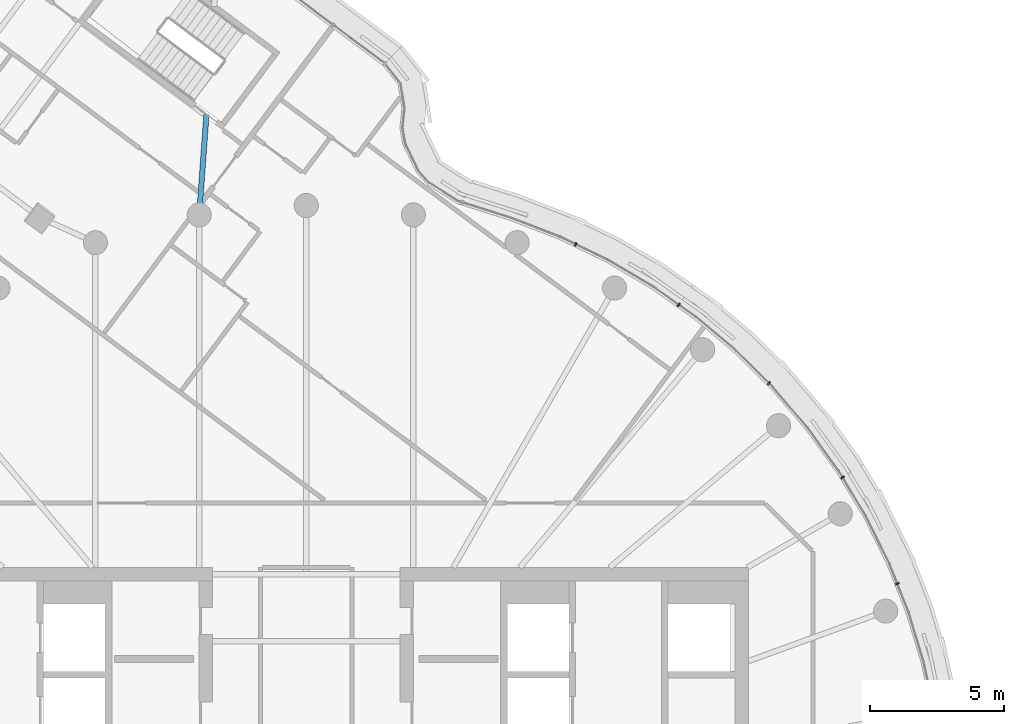
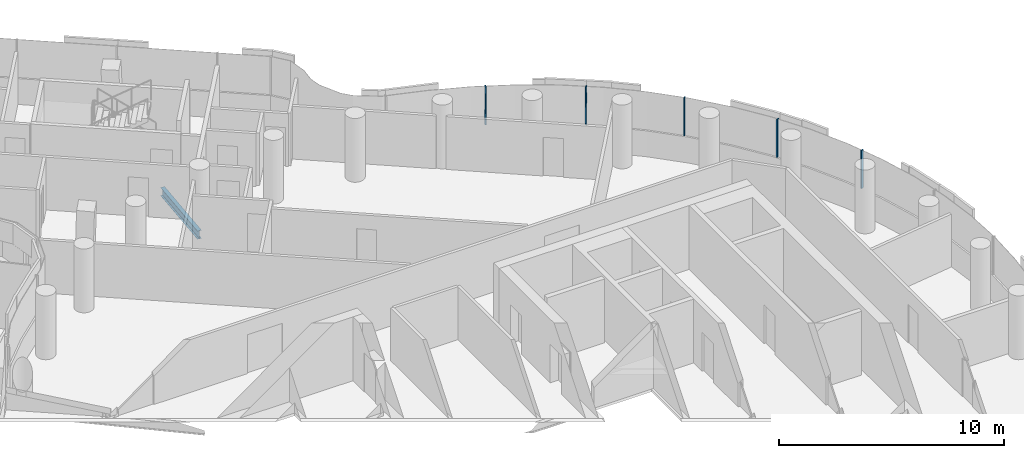
# One storey, part 13 of 27: 5 members, 1 beam, 1 element without a shape of its own.
"""IFC4 building model written with IfcOpenShell, lengths in metres."""

from ifc_helpers import new_model, si_unit, direction, frame, origin, origin_2d, place, context, subcontext, project, spatial, rectangle, i_section, extrude, material, layer, layer_set, material_profile, profile_set, type_object, element, aggregate, save


model = new_model("IFC4")

# Units and contexts
model_context = context("Model", 3, precision=1e-05, world=origin(), true_north=direction((0.0, 1.0)))
body_context = subcontext(model_context, "Body", "Model", "MODEL_VIEW")
ifc_project = project(units=[si_unit("LENGTHUNIT", "METRE"), si_unit("AREAUNIT", "SQUARE_METRE"), si_unit("VOLUMEUNIT", "CUBIC_METRE"), si_unit("PLANEANGLEUNIT", "RADIAN"), si_unit("MASSUNIT", "GRAM", prefix="KILO")], contexts=[model_context])

# Site, building, storey
site_placement = place(None, origin())
site = spatial("IfcSite", under=ifc_project, at=site_placement, CompositionType="ELEMENT")
building_placement = place(site_placement, origin())
building = spatial("IfcBuilding", under=site, at=building_placement, Name="Tamarind Cross Interchange Tower", CompositionType="ELEMENT")
storey_placement = place(building_placement, frame((0.0, 0.0, 227.10009765625)))
storey = spatial("IfcBuildingStorey", under=building, at=storey_placement, Name="L57", CompositionType="ELEMENT", Elevation=227.10009765625)

# Beam
ifc_material_1 = material(Name="Steel Q355B", Category="steel")
ifc_material_profile_1 = material_profile(ifc_material_1, i_section(OverallWidth=0.198974609375, OverallDepth=0.446044921875, WebThickness=0.008056640625, FlangeThickness=0.011962890625, FilletRadius=0.012939453125, at=origin_2d()), Name="HN 446x199x8x12")
ifc_profile_set_1 = profile_set([ifc_material_profile_1], Name="Steel Q355B")
beam_type = type_object("IfcBeamType", Name="Composite beam HN 446x199x8x12 Q355B", PredefinedType="BEAM", material=ifc_profile_set_1)
beam_placement = place(storey_placement, frame((-3.7236328125, 26.39892578125, -0.363037109375), z_axis=(-0.071916472259, -0.997410658163, 0.0), x_axis=(0.997410658163, -0.071916472259, 0.0)))
element("IfcBeam", 1, at=beam_placement, inside=storey, type_object=beam_type, Name="Beam N-linkemt1", PredefinedType="BEAM", context=body_context, shape_type="SweptSolid", body=[
    extrude(i_section(OverallWidth=0.198974609375, OverallDepth=0.446044921875, WebThickness=0.008056640625, FlangeThickness=0.011962890625, FilletRadius=0.012939453125, at=origin_2d()), origin(), (0.0, 0.0, 1.0), 3.758056640625),
])

# Curtain wall, members
ifc_material_2 = material(Name="Aluminium 6063-T6", Category="aluminium")
ifc_layer = layer(ifc_material_2, 0.139892578125)
ifc_layer_set = layer_set([ifc_layer], Name="Aluminium 6063-T6")
curtain_wall_type = type_object("IfcCurtainWallType", Name="Hotel curtain wall, 4.5 m bays", PredefinedType="NOTDEFINED", material=ifc_layer_set)
curtain_wall_placement = place(storey_placement, origin())
curtain_wall = element("IfcCurtainWall", 2, at=curtain_wall_placement, inside=storey, type_object=curtain_wall_type, Name="CWS-L57-02", PredefinedType="NOTDEFINED")
ifc_material_profile_2 = material_profile(ifc_material_2, rectangle(XDim=0.06005859375, YDim=0.139892578125, at=origin_2d()), Name="Mullion CW2")
ifc_profile_set_2 = profile_set([ifc_material_profile_2], Name="Aluminium 6063-T6")
member_type = type_object("IfcMemberType", Name="Mullion CW2", PredefinedType="MULLION", material=ifc_profile_set_2)
member_1_placement = place(storey_placement, frame((22.05029296875, 8.892578125, 1.39990234375), z_axis=(0.0, 0.0, 1.0), x_axis=(-0.367513773146, 0.930018078613, 0.0)))
member_1 = element("IfcMember", 3, at=member_1_placement, type_object=member_type, Name="CWM-L57-02-16", PredefinedType="MULLION", context=body_context, shape_type="SweptSolid", body=[
    extrude(rectangle(XDim=0.06005859375, YDim=0.139892578125, at=origin_2d()), origin(), (0.0, 0.0, 1.0), 2.06005859375),
])
member_2_placement = place(storey_placement, frame((20.0107421875, 12.858154296875, 1.39990234375), z_axis=(0.0, 0.0, 1.0), x_axis=(-0.515577308909, 0.856843065292, 0.0)))
member_2 = element("IfcMember", 4, at=member_2_placement, type_object=member_type, Name="CWM-L57-02-17", PredefinedType="MULLION", context=body_context, shape_type="SweptSolid", body=[
    extrude(rectangle(XDim=0.06005859375, YDim=0.139892578125, at=origin_2d()), origin(), (0.0, 0.0, 1.0), 2.06005859375),
])
member_3_placement = place(storey_placement, frame((17.260009765625, 16.36767578125, 1.39990234375), z_axis=(0.0, 0.0, 1.0), x_axis=(-0.710143317658, 0.704057148523, 0.0)))
member_3 = element("IfcMember", 5, at=member_3_placement, type_object=member_type, Name="CWM-L57-02-18", PredefinedType="MULLION", context=body_context, shape_type="SweptSolid", body=[
    extrude(rectangle(XDim=0.06005859375, YDim=0.139892578125, at=origin_2d()), origin(), (0.0, 0.0, 1.0), 2.06005859375),
])
member_4_placement = place(storey_placement, frame((13.89501953125, 19.293701171875, 1.39990234375), z_axis=(0.0, 0.0, 1.0), x_axis=(-0.816341886298, 0.577568978284, 0.0)))
member_4 = element("IfcMember", 6, at=member_4_placement, type_object=member_type, Name="CWM-L57-02-19", PredefinedType="MULLION", context=body_context, shape_type="SweptSolid", body=[
    extrude(rectangle(XDim=0.06005859375, YDim=0.139892578125, at=origin_2d()), origin(), (0.0, 0.0, 1.0), 2.06005859375),
])
member_5_placement = place(storey_placement, frame((10.04931640625, 21.5498046875, 1.39990234375), z_axis=(0.0, 0.0, 1.0), x_axis=(-0.900272776334, 0.435326231914, 0.0)))
member_5 = element("IfcMember", 7, at=member_5_placement, type_object=member_type, Name="CWM-L57-02-20", PredefinedType="MULLION", context=body_context, shape_type="SweptSolid", body=[
    extrude(rectangle(XDim=0.06005859375, YDim=0.139892578125, at=origin_2d()), origin(), (0.0, 0.0, 1.0), 2.06005859375),
])
aggregate(curtain_wall, [member_1, member_2, member_3, member_4, member_5])

save(model, "model.ifc")
